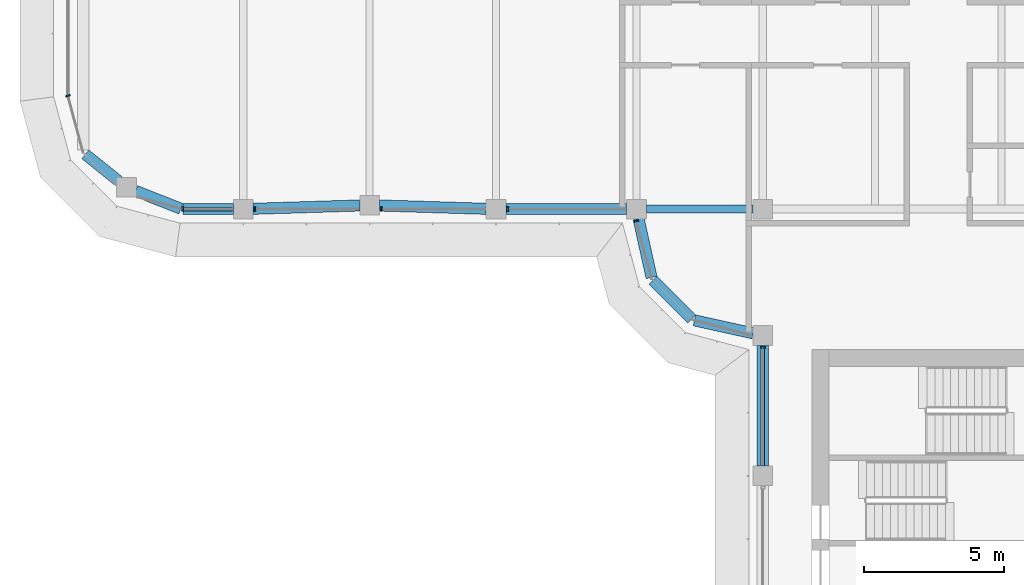
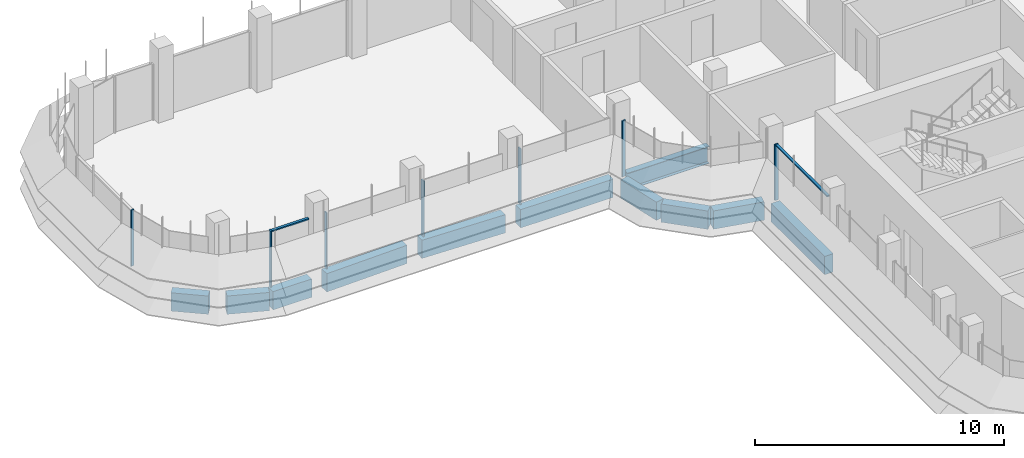
# One storey, part 3 of 19: 11 beams, 9 members, 4 elements without a shape of their own.
"""IFC4 building model written with IfcOpenShell, lengths in metres."""

from ifc_helpers import new_model, si_unit, direction, frame, origin, origin_2d, place, context, subcontext, project, spatial, polyline, rectangle, i_section, outline, extrude, source, transform, mapped, material, material_profile, profile_set, type_object, element, aggregate, save


model = new_model("IFC4")

# Units and contexts
model_context = context("Model", 3, precision=1e-05, world=origin(), true_north=direction((0.0, 1.0)))
body_context = subcontext(model_context, "Body", "Model", "MODEL_VIEW")
ifc_project = project(units=[si_unit("LENGTHUNIT", "METRE"), si_unit("AREAUNIT", "SQUARE_METRE"), si_unit("VOLUMEUNIT", "CUBIC_METRE"), si_unit("PLANEANGLEUNIT", "RADIAN"), si_unit("MASSUNIT", "GRAM", prefix="KILO")], contexts=[model_context])

# Site, building, storey
site_placement = place(None, origin())
site = spatial("IfcSite", under=ifc_project, at=site_placement, CompositionType="ELEMENT")
building_placement = place(site_placement, origin())
building = spatial("IfcBuilding", under=site, at=building_placement, Name="Zarbagh Exchange Tower", CompositionType="ELEMENT")
storey_placement = place(building_placement, frame((0.0, 0.0, 229.60009765625)))
storey = spatial("IfcBuildingStorey", under=building, at=storey_placement, Name="L56", CompositionType="ELEMENT", Elevation=229.60009765625)

# Beams
ifc_material_1 = material(Name="Steel ASTM A992 Gr 50", Category="steel")
ifc_material_profile_1 = material_profile(ifc_material_1, i_section(OverallWidth=0.2919921875, OverallDepth=0.835693359375, WebThickness=0.013916015625, FlangeThickness=0.018798828125, at=origin_2d()), Name="W33X118")
ifc_profile_set_1 = profile_set([ifc_material_profile_1], Name="Steel ASTM A992 Gr 50")
beam_type_1 = type_object("IfcBeamType", Name="Floor girder W33X118", PredefinedType="BEAM", material=ifc_profile_set_1)
beam_1_placement = place(storey_placement, frame((-10.39990234375, -6.25, -0.56787109375), z_axis=(1.0, 0.0, 0.0), x_axis=(0.0, 1.0, 0.0)))
element("IfcBeam", 1, at=beam_1_placement, inside=storey, type_object=beam_type_1, Name="Steel girder", PredefinedType="BEAM", context=body_context, shape_type="SweptSolid", body=[
    extrude(i_section(OverallWidth=0.2919921875, OverallDepth=0.835693359375, WebThickness=0.013916015625, FlangeThickness=0.018798828125, at=origin_2d()), origin(), (0.0, 0.0, 1.0), 3.7998046875),
])
ifc_material_2 = material(Name="Concrete C50/60", Category="concrete")
ifc_material_profile_2 = material_profile(ifc_material_2, rectangle(XDim=0.39990234375, YDim=0.89990234375, at=origin_2d()), Name="RC spandrel beam 400 x 900 C50/60")
ifc_profile_set_2 = profile_set([ifc_material_profile_2], Name="Concrete C50/60")
beam_type_2 = type_object("IfcBeamType", Name="RC spandrel beam 400 x 900 C50/60", PredefinedType="SPANDREL", material=ifc_profile_set_2)
beam_2_placement = place(storey_placement, frame((-6.25, -15.39990234375, -0.60009765625), z_axis=(0.0, 1.0, 0.0), x_axis=(-1.0, 0.0, 0.0)))
element("IfcBeam", 2, at=beam_2_placement, inside=storey, type_object=beam_type_2, Name="RC spandrel beam", PredefinedType="SPANDREL", context=body_context, shape_type="SweptSolid", body=[
    extrude(rectangle(XDim=0.39990234375, YDim=0.89990234375, at=origin_2d()), origin(), (0.0, 0.0, 1.0), 4.2998046875),
])
beam_3_placement = place(storey_placement, frame((-6.591796875, -10.67431640625, -0.60009765625), z_axis=(-0.97639036545, 0.216013551096, 0.0), x_axis=(-0.216013551096, -0.97639036545, 0.0)))
element("IfcBeam", 3, at=beam_3_placement, inside=storey, type_object=beam_type_2, Name="RC spandrel beam", PredefinedType="SPANDREL", context=body_context, shape_type="SweptSolid", body=[
    extrude(rectangle(XDim=0.39990234375, YDim=0.89990234375, at=origin_2d()), origin(), (0.0, 0.0, 1.0), 2.142822265625),
])
beam_4_placement = place(storey_placement, frame((-8.782470703125, -10.15771484375, -0.60009765625), z_axis=(-0.707106781187, 0.707106781187, 0.0), x_axis=(-0.707106781187, -0.707106781187, 0.0)))
element("IfcBeam", 4, at=beam_4_placement, inside=storey, type_object=beam_type_2, Name="RC spandrel beam", PredefinedType="SPANDREL", context=body_context, shape_type="SweptSolid", body=[
    extrude(rectangle(XDim=0.39990234375, YDim=0.89990234375, at=origin_2d()), origin(), (0.0, 0.0, 1.0), 1.94482421875),
])
beam_5_placement = place(storey_placement, frame((-10.21142578125, -8.68408203125, -0.60009765625), z_axis=(-0.216013551096, 0.97639036545, 0.0), x_axis=(-0.97639036545, -0.216013551096, 0.0)))
element("IfcBeam", 5, at=beam_5_placement, inside=storey, type_object=beam_type_2, Name="RC spandrel beam", PredefinedType="SPANDREL", context=body_context, shape_type="SweptSolid", body=[
    extrude(rectangle(XDim=0.39990234375, YDim=0.89990234375, at=origin_2d()), origin(), (0.0, 0.0, 1.0), 2.142822265625),
])
beam_6_placement = place(storey_placement, frame((-11.10009765625, -6.25, -0.60009765625), z_axis=(-1.0, 0.0, 0.0), x_axis=(0.0, -1.0, 0.0)))
element("IfcBeam", 6, at=beam_6_placement, inside=storey, type_object=beam_type_2, Name="RC spandrel beam", PredefinedType="SPANDREL", context=body_context, shape_type="SweptSolid", body=[
    extrude(rectangle(XDim=0.39990234375, YDim=0.89990234375, at=origin_2d()), origin(), (0.0, 0.0, 1.0), 4.2998046875),
])
for number, where, z_axis, x_axis, name in (
    (7, (-16.099853515625, -6.239013671875, -0.60009765625), (-0.999516950199, 0.031078389046, 0.0), (-0.031078389046, -0.999516950199, 0.0), "RC spandrel beam"),
    (8, (-20.599853515625, -6.120849609375, -0.60009765625), (-0.999516950199, -0.031078389046, 0.0), (0.031078389046, -0.999516950199, 0.0), "RC spandrel beam"),
):
    element("IfcBeam", number, at=place(storey_placement, frame(where, z_axis=z_axis, x_axis=x_axis)), inside=storey, type_object=beam_type_2, Name=name, PredefinedType="SPANDREL", context=body_context, shape_type="SweptSolid", body=[
        extrude(rectangle(XDim=0.39990234375, YDim=0.89990234375, at=origin_2d()), origin(), (0.0, 0.0, 1.0), 3.80224609375),
    ])
beam_7_placement = place(storey_placement, frame((-25.10009765625, -6.25, -0.60009765625), z_axis=(-1.0, 0.0, 0.0), x_axis=(0.0, -1.0, 0.0)))
element("IfcBeam", 9, at=beam_7_placement, inside=storey, type_object=beam_type_2, Name="RC spandrel beam", PredefinedType="SPANDREL", context=body_context, shape_type="SweptSolid", body=[
    extrude(rectangle(XDim=0.39990234375, YDim=0.89990234375, at=origin_2d()), origin(), (0.0, 0.0, 1.0), 1.796142578125),
])
beam_8_placement = place(storey_placement, frame((-26.969482421875, -6.236083984375, -0.60009765625), z_axis=(-0.930809711446, 0.365504146457, 0.0), x_axis=(-0.365504146457, -0.930809711446, 0.0)))
element("IfcBeam", 10, at=beam_8_placement, inside=storey, type_object=beam_type_2, Name="RC spandrel beam", PredefinedType="SPANDREL", context=body_context, shape_type="SweptSolid", body=[
    extrude(rectangle(XDim=0.39990234375, YDim=0.89990234375, at=origin_2d()), origin(), (0.0, 0.0, 1.0), 1.732666015625),
])
beam_9_placement = place(storey_placement, frame((-29.18115234375, -5.256103515625, -0.60009765625), z_axis=(-0.780634897504, 0.62498732531, 0.0), x_axis=(-0.62498732531, -0.780634897504, 0.0)))
element("IfcBeam", 11, at=beam_9_placement, inside=storey, type_object=beam_type_2, Name="RC spandrel beam", PredefinedType="SPANDREL", context=body_context, shape_type="SweptSolid", body=[
    extrude(rectangle(XDim=0.39990234375, YDim=0.89990234375, at=origin_2d()), origin(), (0.0, 0.0, 1.0), 1.52783203125),
])

# Curtain wall, member
ifc_material_3 = material(Name="Anodised aluminium frame and glazing", Category="aluminium")
curtain_wall_type = type_object("IfcCurtainWallType", Name="CWB Ribbon glazing, upper zones", PredefinedType="NOTDEFINED", material=ifc_material_3)
curtain_wall_1_placement = place(storey_placement, origin())
curtain_wall_1 = element("IfcCurtainWall", 12, at=curtain_wall_1_placement, inside=storey, type_object=curtain_wall_type, Name="CWB62 curtain wall", PredefinedType="NOTDEFINED")
ifc_material_4 = material(Name="Anodised aluminium frame", Category="aluminium")
member_type_1 = type_object("IfcMemberType", Name="MUB Mullion, anodised aluminium frame", PredefinedType="MULLION", material=ifc_material_4)
shared_shape_1 = source(origin(), body_context, "Body", "SweptSolid", [
    extrude(outline(polyline([(0.0, -0.080078125), (0.06005859375, -0.080078125), (0.06005859375, 0.080078125), (0.0, 0.080078125), (0.0, -0.080078125)])), origin(), (0.0, 0.0, 1.0), 2.75),
])
placement = place(storey_placement, origin())
member_1 = element("IfcMember", 13, at=placement, type_object=member_type_1, Name="CWB62 mullion 1.1", PredefinedType="MULLION", context=body_context, shape_type="MappedRepresentation", body=[
    mapped(shared_shape_1, transform((-31.0, -2.18408203125, 0.0), x_axis=(0.258824779902, -0.965924289636, 0.0), y_axis=(0.965924289636, 0.258824779902, 0.0), z_axis=(0.0, 0.0, 1.0))),
])
aggregate(curtain_wall_1, [member_1])

# Curtain wall, members
curtain_wall_2_placement = place(storey_placement, origin())
curtain_wall_2 = element("IfcCurtainWall", 14, at=curtain_wall_2_placement, inside=storey, type_object=curtain_wall_type, Name="CWB65 curtain wall", PredefinedType="NOTDEFINED")
member_2 = element("IfcMember", 15, at=placement, type_object=member_type_1, Name="CWB65 mullion 1.1", PredefinedType="MULLION", context=body_context, shape_type="MappedRepresentation", body=[
    mapped(shared_shape_1, transform((-26.93408203125, -6.25, 0.0), x_axis=(1.0, 0.0, 0.0), y_axis=(0.0, 1.0, 0.0), z_axis=(0.0, 0.0, 1.0))),
])
member_3 = element("IfcMember", 16, at=placement, type_object=member_type_1, Name="CWB65 mullion 2.1", PredefinedType="MULLION", context=body_context, shape_type="MappedRepresentation", body=[
    mapped(shared_shape_1, transform((-24.35986328125, -6.25, 0.0), x_axis=(1.0, 0.0, 0.0), y_axis=(0.0, 1.0, 0.0), z_axis=(0.0, 0.0, 1.0))),
])
member_4 = element("IfcMember", 17, at=placement, type_object=member_type_1, Name="CWB65 mullion 3.1", PredefinedType="MULLION", context=body_context, shape_type="MappedRepresentation", body=[
    mapped(shared_shape_1, transform((-19.85986328125, -6.25, 0.0), x_axis=(1.0, 0.0, 0.0), y_axis=(0.0, 1.0, 0.0), z_axis=(0.0, 0.0, 1.0))),
])
member_5 = element("IfcMember", 18, at=placement, type_object=member_type_1, Name="CWB65 mullion 4.1", PredefinedType="MULLION", context=body_context, shape_type="MappedRepresentation", body=[
    mapped(shared_shape_1, transform((-15.35986328125, -6.25, 0.0), x_axis=(1.0, 0.0, 0.0), y_axis=(0.0, 1.0, 0.0), z_axis=(0.0, 0.0, 1.0))),
])

# Curtain wall, member
curtain_wall_3_placement = place(storey_placement, origin())
curtain_wall_3 = element("IfcCurtainWall", 19, at=curtain_wall_3_placement, inside=storey, type_object=curtain_wall_type, Name="CWB41 curtain wall", PredefinedType="NOTDEFINED")
member_6 = element("IfcMember", 20, at=placement, type_object=member_type_1, Name="CWB41 mullion 1.1", PredefinedType="MULLION", context=body_context, shape_type="MappedRepresentation", body=[
    mapped(shared_shape_1, transform((-10.76171875, -6.64013671875, 0.0), x_axis=(0.258824779902, -0.965924289636, 0.0), y_axis=(0.965924289636, 0.258824779902, 0.0), z_axis=(0.0, 0.0, 1.0))),
])
aggregate(curtain_wall_3, [member_6])

curtain_wall_4_placement = place(storey_placement, origin())
curtain_wall_4 = element("IfcCurtainWall", 21, at=curtain_wall_4_placement, inside=storey, type_object=curtain_wall_type, Name="CWB53 curtain wall", PredefinedType="NOTDEFINED")
member_7 = element("IfcMember", 22, at=placement, type_object=member_type_1, Name="CWB53 mullion 1.1", PredefinedType="MULLION", context=body_context, shape_type="MappedRepresentation", body=[
    mapped(shared_shape_1, transform((-6.25, -11.14013671875, 0.0), x_axis=(0.0, -1.0, 0.0), y_axis=(1.0, 0.0, 0.0), z_axis=(0.0, 0.0, 1.0))),
])

# Member
member_type_2 = type_object("IfcMemberType", Name="TRB Transom, anodised aluminium frame", PredefinedType="USERDEFINED", material=ifc_material_4)
shared_shape_2 = source(origin(), body_context, "Body", "SweptSolid", [
    extrude(outline(polyline([(-0.06005859375, -0.06005859375), (0.0, -0.06005859375), (0.0, 0.06005859375), (-0.06005859375, 0.06005859375), (-0.06005859375, -0.06005859375)])), origin(), (0.0, 0.0, 1.0), 1.734130859375),
])
member_8 = element("IfcMember", 23, at=placement, type_object=member_type_2, Name="CWB65 transom 1.1", ObjectType="TRANSOM", PredefinedType="USERDEFINED", context=body_context, shape_type="MappedRepresentation", body=[
    mapped(shared_shape_2, transform((-26.874267578125, -6.25, 2.75), x_axis=(0.0, 0.0, 1.0), y_axis=(0.0, -1.0, 0.0), z_axis=(1.0, 0.0, 0.0))),
])

aggregate(curtain_wall_2, [member_2, member_8, member_3, member_4, member_5])

shared_shape_3 = source(origin(), body_context, "Body", "SweptSolid", [
    extrude(outline(polyline([(-0.06005859375, -0.06005859375), (0.0, -0.06005859375), (0.0, 0.06005859375), (-0.06005859375, 0.06005859375), (-0.06005859375, -0.06005859375)])), origin(), (0.0, 0.0, 1.0), 4.159912109375),
])
member_9 = element("IfcMember", 24, at=placement, type_object=member_type_2, Name="CWB53 transom 1.1", ObjectType="TRANSOM", PredefinedType="USERDEFINED", context=body_context, shape_type="MappedRepresentation", body=[
    mapped(shared_shape_3, transform((-6.25, -11.199951171875, 2.75), x_axis=(0.0, 0.0, 1.0), y_axis=(-1.0, 0.0, 0.0), z_axis=(0.0, -1.0, 0.0))),
])

aggregate(curtain_wall_4, [member_7, member_9])

save(model, "model.ifc")
